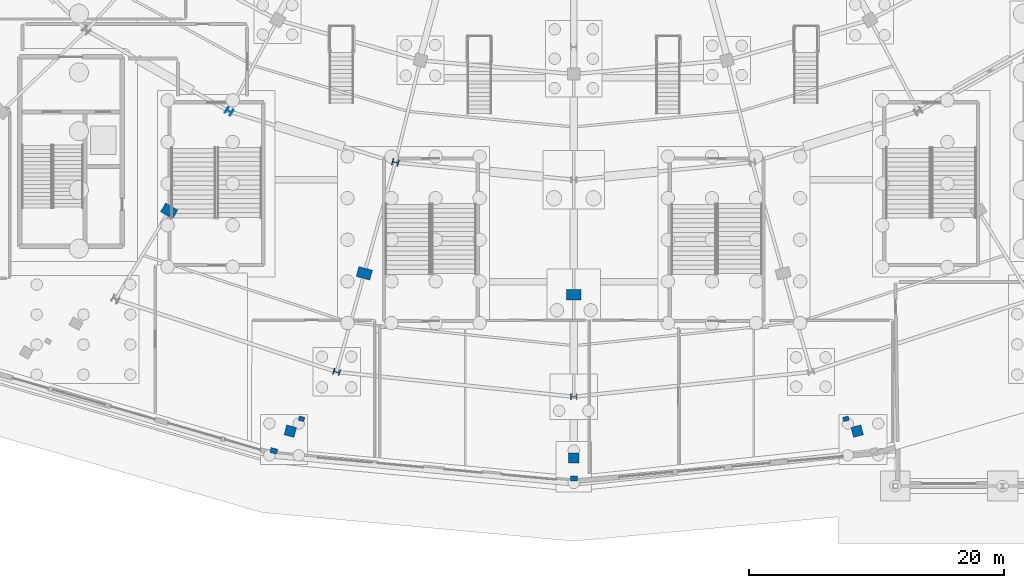
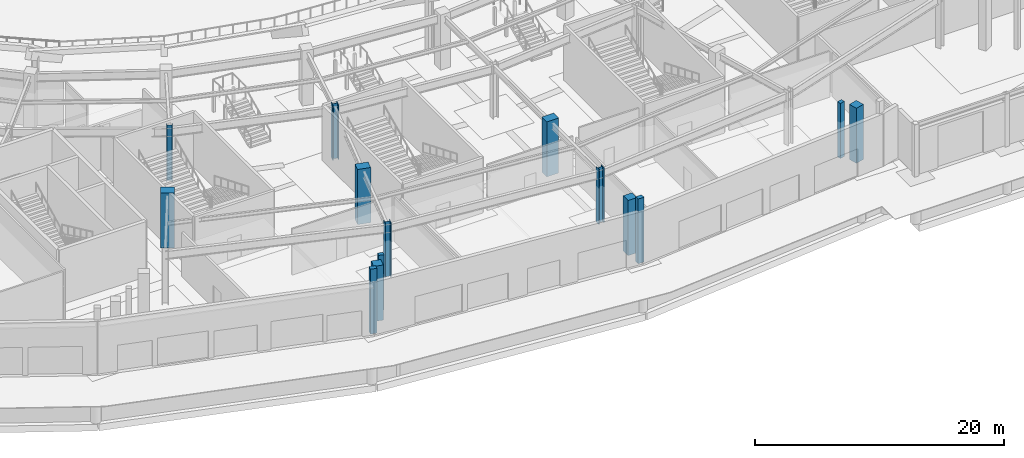
# One storey, part 14 of 93: 14 columns.
"""IFC4 building model written with IfcOpenShell, lengths in metres."""

from ifc_helpers import new_model, si_unit, direction, frame, origin, origin_2d, place, context, subcontext, project, spatial, rectangle, i_section, extrude, material, material_profile, profile_set, type_object, element, save


model = new_model("IFC4")

# Units and contexts
model_context = context("Model", 3, precision=1e-05, world=origin(), true_north=direction((0.0, 1.0)))
body_context = subcontext(model_context, "Body", "Model", "MODEL_VIEW")
ifc_project = project(units=[si_unit("LENGTHUNIT", "METRE"), si_unit("AREAUNIT", "SQUARE_METRE"), si_unit("VOLUMEUNIT", "CUBIC_METRE"), si_unit("PLANEANGLEUNIT", "RADIAN"), si_unit("MASSUNIT", "GRAM", prefix="KILO")], contexts=[model_context])

# Site, building, storey
site_placement = place(None, origin())
site = spatial("IfcSite", under=ifc_project, at=site_placement, CompositionType="ELEMENT")
building_placement = place(site_placement, origin())
building = spatial("IfcBuilding", under=site, at=building_placement, Name="Kalgoora Escarpment Arena", CompositionType="ELEMENT")
storey_placement = place(building_placement, origin())
storey = spatial("IfcBuildingStorey", under=building, at=storey_placement, Name="L00", CompositionType="ELEMENT", Elevation=0.0)

# Columns
ifc_material_1 = material(Name="Structural steel Grade 350 (350 MPa)", Category="steel")
ifc_material_profile_1 = material_profile(ifc_material_1, i_section(OverallWidth=0.5, OverallDepth=0.5, WebThickness=0.02001953125, FlangeThickness=0.034912109375, at=origin_2d()))
ifc_profile_set_1 = profile_set([ifc_material_profile_1], Name="Structural steel Grade 350 (350 MPa)")
column_type_1 = type_object("IfcColumnType", Name="COL-COL-500WC340", PredefinedType="COLUMN", material=ifc_profile_set_1)
for number, where, z_axis, x_axis, name in (
    (1, (73.81689453125, 8.942138671875, 0.0), (0.0, 0.0, 1.0), (-0.258819045103, -0.965925826289, 0.0), "L00 structural column COL-RCONC2-R18"),
    (2, (92.39990234375, 7.0, 0.0), (0.0, 0.0, 1.0), (0.0, -1.0, 0.0), "L00 structural column COL-RCONC2-R19"),
):
    element("IfcColumn", number, at=place(storey_placement, frame(where, z_axis=z_axis, x_axis=x_axis)), inside=storey, type_object=column_type_1, Name=name, PredefinedType="COLUMN", context=body_context, shape_type="SweptSolid", body=[
        extrude(i_section(OverallWidth=0.5, OverallDepth=0.5, WebThickness=0.02001953125, FlangeThickness=0.034912109375, at=origin_2d()), origin(), (0.0, 0.0, 1.0), 5.39990234375),
    ])
ifc_material_2 = material(Name="Structural steel Grade 350 (350 MPa)", Category="steel")
ifc_material_profile_2 = material_profile(ifc_material_2, i_section(OverallWidth=0.5, OverallDepth=0.5, WebThickness=0.02490234375, FlangeThickness=0.0419921875, at=origin_2d()))
ifc_profile_set_2 = profile_set([ifc_material_profile_2], Name="Structural steel Grade 350 (350 MPa)")
column_type_2 = type_object("IfcColumnType", Name="COL-COL-500WC440", PredefinedType="COLUMN", material=ifc_profile_set_2)
for number, where, z_axis, x_axis, name in (
    (3, (65.39990234375, 29.35888671875, 0.0), (0.0, 0.0, 1.0), (-0.5, -0.866025403784, 0.0), "L00 structural column COL-RMAIN-R17"),
    (4, (78.423828125, 25.363037109375, 0.0), (0.0, 0.0, 1.0), (-0.258819045103, -0.965925826289, 0.0), "L00 structural column COL-RMAIN-R18"),
):
    element("IfcColumn", number, at=place(storey_placement, frame(where, z_axis=z_axis, x_axis=x_axis)), inside=storey, type_object=column_type_2, Name=name, PredefinedType="COLUMN", context=body_context, shape_type="SweptSolid", body=[
        extrude(i_section(OverallWidth=0.5, OverallDepth=0.5, WebThickness=0.02490234375, FlangeThickness=0.0419921875, at=origin_2d()), origin(), (0.0, 0.0, 1.0), 5.39990234375),
    ])
ifc_material_3 = material(Name="Concrete N50 (fc' 50 MPa)", Category="concrete")
ifc_material_profile_3 = material_profile(ifc_material_3, rectangle(XDim=0.800048828125, YDim=1.10009765625, at=origin_2d()))
ifc_profile_set_3 = profile_set([ifc_material_profile_3], Name="Concrete N50 (fc' 50 MPa)")
column_type_3 = type_object("IfcColumnType", Name="COL-COL-RC1100x800", PredefinedType="COLUMN", material=ifc_profile_set_3)
for number, where, z_axis, x_axis, name in (
    (5, (60.699951171875, 21.564697265625, 0.0), (0.0, 0.0, 1.0), (-0.5, -0.866025403784, 0.0), "L00 structural column COL-RCONC1-R17"),
    (6, (75.990966796875, 16.669677734375, 0.0), (0.0, 0.0, 1.0), (-0.258819045103, -0.965925826289, 0.0), "L00 structural column COL-RCONC1-R18"),
    (7, (92.39990234375, 15.0, 0.0), (0.0, 0.0, 1.0), (0.0, -1.0, 0.0), "L00 structural column COL-RCONC1-R19"),
):
    element("IfcColumn", number, at=place(storey_placement, frame(where, z_axis=z_axis, x_axis=x_axis)), inside=storey, type_object=column_type_3, Name=name, PredefinedType="COLUMN", context=body_context, shape_type="SweptSolid", body=[
        extrude(rectangle(XDim=0.800048828125, YDim=1.10009765625, at=origin_2d()), origin(), (0.0, 0.0, 1.0), 5.39990234375),
    ])
ifc_material_4 = material(Name="Concrete N50 (fc' 50 MPa)", Category="concrete")
ifc_material_profile_4 = material_profile(ifc_material_4, rectangle(XDim=0.800048828125, YDim=0.800048828125, at=origin_2d()))
ifc_profile_set_4 = profile_set([ifc_material_profile_4], Name="Concrete N50 (fc' 50 MPa)")
column_type_4 = type_object("IfcColumnType", Name="COL-COL-RC800x800", PredefinedType="COLUMN", material=ifc_profile_set_4)
for number, where, z_axis, x_axis, name in (
    (8, (70.193359375, 4.305908203125, 0.0), (0.0, 0.0, 1.0), (-0.258819045103, -0.965925826289, 0.0), "L00 structural column COL-RBASE2-R18"),
    (9, (92.39990234375, 2.199951171875, 0.0), (0.0, 0.0, 1.0), (0.0, -1.0, 0.0), "L00 structural column COL-RBASE2-R19"),
    (10, (114.606689453125, 4.305908203125, 0.0), (0.0, 0.0, 1.0), (0.258819045103, -0.965925826289, 0.0), "L00 structural column COL-RBASE2-R20"),
):
    element("IfcColumn", number, at=place(storey_placement, frame(where, z_axis=z_axis, x_axis=x_axis)), inside=storey, type_object=column_type_4, Name=name, PredefinedType="COLUMN", context=body_context, shape_type="SweptSolid", body=[
        extrude(rectangle(XDim=0.800048828125, YDim=0.800048828125, at=origin_2d()), origin(), (0.0, 0.0, 1.0), 5.39990234375),
    ])
ifc_material_5 = material(Name="Precast concrete N50 (fc' 50 MPa)", Category="concrete")
ifc_material_profile_5 = material_profile(ifc_material_5, rectangle(XDim=0.35009765625, YDim=0.449951171875, at=origin_2d()))
ifc_profile_set_5 = profile_set([ifc_material_profile_5], Name="Precast concrete N50 (fc' 50 MPa)")
column_type_5 = type_object("IfcColumnType", Name="COL-PIL-PC-PILASTER-450x350", PredefinedType="PILASTER", material=ifc_profile_set_5)
for number, where, z_axis, x_axis, name in (
    (11, (71.072998046875, 5.27197265625, 0.0), (0.0, 0.0, 1.0), (-0.258819045103, -0.965925826289, 0.0), "L00 fluted pilaster PIL-063"),
    (12, (113.72705078125, 5.27197265625, 0.0), (0.0, 0.0, 1.0), (0.258819045103, -0.965925826289, 0.0), "L00 fluted pilaster PIL-065"),
):
    element("IfcColumn", number, at=place(storey_placement, frame(where, z_axis=z_axis, x_axis=x_axis)), inside=storey, type_object=column_type_5, Name=name, PredefinedType="PILASTER", context=body_context, shape_type="SweptSolid", body=[
        extrude(rectangle(XDim=0.35009765625, YDim=0.449951171875, at=origin_2d()), origin(), (0.0, 0.0, 1.0), 5.39990234375),
    ])
ifc_material_6 = material(Name="Precast concrete N50 (fc' 50 MPa)", Category="concrete")
ifc_material_profile_6 = material_profile(ifc_material_6, rectangle(XDim=0.39990234375, YDim=0.550048828125, at=origin_2d()))
ifc_profile_set_6 = profile_set([ifc_material_profile_6], Name="Precast concrete N50 (fc' 50 MPa)")
column_type_6 = type_object("IfcColumnType", Name="COL-PIL-PC-PILASTER-550x400", PredefinedType="PILASTER", material=ifc_profile_set_6)
for number, where, z_axis, x_axis, name in (
    (13, (68.89892578125, 2.760009765625, 0.0), (0.0, 0.0, 1.0), (-0.258819045103, -0.965925826289, 0.0), "L00 fluted pilaster PIL-039"),
    (14, (92.39990234375, 0.60009765625, 0.0), (0.0, 0.0, 1.0), (0.0, -1.0, 0.0), "L00 fluted pilaster PIL-040"),
):
    element("IfcColumn", number, at=place(storey_placement, frame(where, z_axis=z_axis, x_axis=x_axis)), inside=storey, type_object=column_type_6, Name=name, PredefinedType="PILASTER", context=body_context, shape_type="SweptSolid", body=[
        extrude(rectangle(XDim=0.39990234375, YDim=0.550048828125, at=origin_2d()), origin(), (0.0, 0.0, 1.0), 6.35009765625),
    ])

save(model, "model.ifc")
